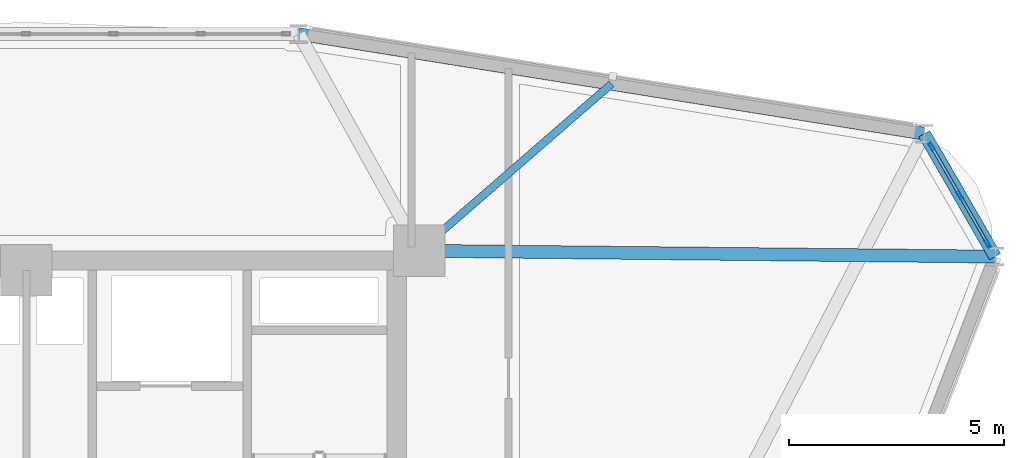
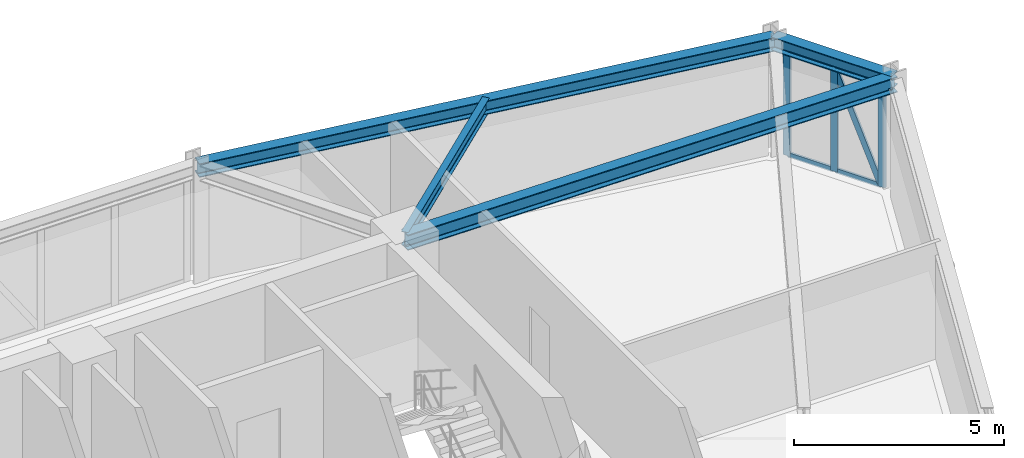
# One storey, part 11 of 18: 8 members, 4 beams, 1 element without a shape of its own.
"""IFC4 building model written with IfcOpenShell, lengths in metres."""

from ifc_helpers import new_model, si_unit, derived_unit, direction, frame, origin, origin_2d, place, context, subcontext, project, spatial, hollow_rectangle, i_section, extrude, source, transform, mapped, material, layer, layer_set, material_profile, profile_set, type_object, element, aggregate, save


model = new_model("IFC4")

# Units and contexts
model_context = context("Model", 3, precision=1e-05, world=origin(), true_north=direction((0.0, 1.0)))
body_context = subcontext(model_context, "Body", "Model", "MODEL_VIEW")
ifc_project = project(units=[si_unit("LENGTHUNIT", "METRE"), si_unit("AREAUNIT", "SQUARE_METRE"), si_unit("VOLUMEUNIT", "CUBIC_METRE"), si_unit("PLANEANGLEUNIT", "RADIAN"), si_unit("MASSUNIT", "GRAM", prefix="KILO"), derived_unit("THERMALTRANSMITTANCEUNIT", [(si_unit("POWERUNIT", "WATT"), 1), (si_unit("LENGTHUNIT", "METRE"), -2), (si_unit("THERMODYNAMICTEMPERATUREUNIT", "KELVIN"), -1)])], contexts=[model_context])

# Site, building, storey
site_placement = place(None, origin())
site = spatial("IfcSite", under=ifc_project, at=site_placement, CompositionType="ELEMENT")
building_placement = place(site_placement, origin())
building = spatial("IfcBuilding", under=site, at=building_placement, Name="Korsvarv Bourse and Concert Hall", CompositionType="ELEMENT")
storey_placement = place(building_placement, frame((0.0, 0.0, 168.60009765625)))
storey = spatial("IfcBuildingStorey", under=building, at=storey_placement, Name="L43", CompositionType="ELEMENT", Elevation=168.60009765625)

# Beams
ifc_material_1 = material(Name="Steel S355", Category="steel")
ifc_material_profile_1 = material_profile(ifc_material_1, i_section(OverallWidth=0.300048828125, OverallDepth=0.39990234375, WebThickness=0.013427734375, FlangeThickness=0.02392578125, FilletRadius=0.02099609375, at=origin_2d()), Name="HEB 400")
ifc_profile_set_1 = profile_set([ifc_material_profile_1], Name="Steel S355")
beam_type_1 = type_object("IfcBeamType", Name="BM-HEB400", PredefinedType="SPANDREL", material=ifc_profile_set_1)
shared_shape_1 = source(origin(), body_context, "Body", "SweptSolid", [
    extrude(i_section(OverallWidth=0.300048828125, OverallDepth=0.39990234375, WebThickness=0.013427734375, FlangeThickness=0.02392578125, FilletRadius=0.02099609375, at=origin_2d()), origin(), (0.0, 0.0, 1.0), 3.30322265625),
])
beam_1_placement = place(storey_placement, frame((58.553955078125, 47.114501953125, 3.199951171875), z_axis=(-0.500010360262, 0.866019422202, 0.0), x_axis=(-0.866019422202, -0.500010360262, 0.0)))
element("IfcBeam", 1, at=beam_1_placement, inside=storey, type_object=beam_type_1, Name="L43 beam B-09", PredefinedType="SPANDREL", context=body_context, shape_type="MappedRepresentation", body=[
    mapped(shared_shape_1, transform((0.0, 0.0, 0.0), scale=1.0)),
])
shared_shape_2 = source(origin(), body_context, "Body", "SweptSolid", [
    extrude(i_section(OverallWidth=0.300048828125, OverallDepth=0.39990234375, WebThickness=0.013427734375, FlangeThickness=0.02392578125, FilletRadius=0.02099609375, at=origin_2d()), origin(), (0.0, 0.0, 1.0), 14.740234375),
])
beam_2_placement = place(storey_placement, frame((56.90234375, 49.97509765625, 3.199951171875), z_axis=(-0.987527508196, 0.157446564127, 0.0), x_axis=(-0.157446564127, -0.987527508196, 0.0)))
element("IfcBeam", 2, at=beam_2_placement, inside=storey, type_object=beam_type_1, Name="L43 beam B-09", PredefinedType="SPANDREL", context=body_context, shape_type="MappedRepresentation", body=[
    mapped(shared_shape_2, transform((0.0, 0.0, 0.0), scale=1.0)),
])
ifc_material_profile_2 = material_profile(ifc_material_1, i_section(OverallWidth=0.300048828125, OverallDepth=0.449951171875, WebThickness=0.013916015625, FlangeThickness=0.02587890625, FilletRadius=0.02099609375, at=origin_2d()), Name="HEB 450")
ifc_profile_set_2 = profile_set([ifc_material_profile_2], Name="Steel S355")
beam_type_2 = type_object("IfcBeamType", Name="BM-HEB450", PredefinedType="SPANDREL", material=ifc_profile_set_2)
shared_shape_3 = source(origin(), body_context, "Body", "SweptSolid", [
    extrude(i_section(OverallWidth=0.300048828125, OverallDepth=0.449951171875, WebThickness=0.013916015625, FlangeThickness=0.02587890625, FilletRadius=0.02099609375, at=origin_2d()), origin(), (0.0, 0.0, 1.0), 13.40478515625),
])
beam_3_placement = place(storey_placement, frame((58.553955078125, 47.114501953125, 3.1748046875), z_axis=(-0.999948910631, 0.010108220778, 0.0), x_axis=(-0.010108220778, -0.999948910631, 0.0)))
element("IfcBeam", 3, at=beam_3_placement, inside=storey, type_object=beam_type_2, Name="L43 beam B-08", PredefinedType="SPANDREL", context=body_context, shape_type="MappedRepresentation", body=[
    mapped(shared_shape_3, transform((0.0, 0.0, 0.0), scale=1.0)),
])
ifc_material_profile_3 = material_profile(ifc_material_1, i_section(OverallWidth=0.179931640625, OverallDepth=0.39990234375, WebThickness=0.008544921875, FlangeThickness=0.013427734375, FilletRadius=0.02099609375, at=origin_2d()), Name="IPE 400")
ifc_profile_set_3 = profile_set([ifc_material_profile_3], Name="Steel S355")
beam_type_3 = type_object("IfcBeamType", Name="BM-IPE400", PredefinedType="JOIST", material=ifc_profile_set_3)
shared_shape_4 = source(origin(), body_context, "Body", "SweptSolid", [
    extrude(i_section(OverallWidth=0.179931640625, OverallDepth=0.39990234375, WebThickness=0.008544921875, FlangeThickness=0.013427734375, FilletRadius=0.02099609375, at=origin_2d()), origin(), (0.0, 0.0, 1.0), 5.926025390625),
])
beam_4_placement = place(storey_placement, frame((49.624267578125, 51.135498046875, 3.199951171875), z_axis=(-0.755044389715, -0.655673676123, 0.0), x_axis=(0.655673676123, -0.755044389715, 0.0)))
element("IfcBeam", 4, at=beam_4_placement, inside=storey, type_object=beam_type_3, Name="L43 beam J-05", PredefinedType="JOIST", context=body_context, shape_type="MappedRepresentation", body=[
    mapped(shared_shape_4, transform((0.0, 0.0, 0.0), scale=1.0)),
])

# Curtain wall, members
ifc_material_2 = material(Name="Anodised aluminium and triple low-E glazing", Category="glass")
ifc_layer = layer(ifc_material_2, 0.2099609375)
ifc_layer_set = layer_set([ifc_layer], Name="Anodised aluminium and triple low-E glazing")
curtain_wall_type = type_object("IfcCurtainWallType", Name="CW-SYS-2", PredefinedType="NOTDEFINED", material=ifc_layer_set)
curtain_wall_placement = place(storey_placement, origin())
curtain_wall = element("IfcCurtainWall", 5, at=curtain_wall_placement, inside=storey, type_object=curtain_wall_type, Name="L43 CW2 curtain wall CW-L43-F01", PredefinedType="NOTDEFINED")
ifc_material_3 = material(Name="Extruded aluminium EN AW-6063 T66", Category="aluminium")
ifc_material_profile_4 = material_profile(ifc_material_3, hollow_rectangle(XDim=0.070068359375, YDim=0.18994140625, WallThickness=0.0048828125, at=origin_2d()), Name="ALU-M 70x190")
ifc_profile_set_4 = profile_set([ifc_material_profile_4], Name="Extruded aluminium EN AW-6063 T66")
member_type_1 = type_object("IfcMemberType", Name="CWM-190", PredefinedType="MULLION", material=ifc_profile_set_4)
shared_shape_5 = source(origin(), body_context, "Body", "SweptSolid", [
    extrude(hollow_rectangle(XDim=0.070068359375, YDim=0.18994140625, WallThickness=0.0048828125, at=origin_2d()), origin(), (0.0, 0.0, 1.0), 3.0),
])
member_1_placement = place(storey_placement, frame((58.382080078125, 47.412109375, 0.0), z_axis=(0.0, 0.0, 1.0), x_axis=(-0.866006986736, -0.500031897907, 0.0)))
member_1 = element("IfcMember", 6, at=member_1_placement, type_object=member_type_1, Name="CW2 mullion 1", PredefinedType="MULLION", context=body_context, shape_type="MappedRepresentation", body=[
    mapped(shared_shape_5, transform((0.0, 0.0, 0.0), scale=1.0)),
])
member_2_placement = place(storey_placement, frame((57.72802734375, 48.544677734375, 0.0), z_axis=(0.0, 0.0, 1.0), x_axis=(-0.866006986736, -0.500031897907, 0.0)))
member_2 = element("IfcMember", 7, at=member_2_placement, type_object=member_type_1, Name="CW2 mullion 2", PredefinedType="MULLION", context=body_context, shape_type="MappedRepresentation", body=[
    mapped(shared_shape_5, transform((0.0, 0.0, 0.0), scale=1.0)),
])
member_3_placement = place(storey_placement, frame((57.07421875, 49.67724609375, 0.0), z_axis=(0.0, 0.0, 1.0), x_axis=(-0.866006986736, -0.500031897907, 0.0)))
member_3 = element("IfcMember", 8, at=member_3_placement, type_object=member_type_1, Name="CW2 mullion 3", PredefinedType="MULLION", context=body_context, shape_type="MappedRepresentation", body=[
    mapped(shared_shape_5, transform((0.0, 0.0, 0.0), scale=1.0)),
])
ifc_material_profile_5 = material_profile(ifc_material_3, hollow_rectangle(XDim=0.06494140625, YDim=0.139892578125, WallThickness=0.00390625, at=origin_2d()), Name="ALU-T 65x140")
ifc_profile_set_5 = profile_set([ifc_material_profile_5], Name="Extruded aluminium EN AW-6063 T66")
member_type_2 = type_object("IfcMemberType", Name="CWT-140", PredefinedType="USERDEFINED", material=ifc_profile_set_5)
shared_shape_6 = source(origin(), body_context, "Body", "SweptSolid", [
    extrude(hollow_rectangle(XDim=0.06494140625, YDim=0.139892578125, WallThickness=0.00390625, at=origin_2d()), origin(), (0.0, 0.0, 1.0), 1.237548828125),
])
member_4_placement = place(storey_placement, frame((58.364501953125, 47.442626953125, 0.032470703125), z_axis=(-0.500063959222, 0.865988473761, 0.0), x_axis=(-0.865988473761, -0.500063959222, 0.0)))
member_4 = element("IfcMember", 9, at=member_4_placement, type_object=member_type_2, Name="CW2 transom 1.1", ObjectType="TRANSOM", PredefinedType="USERDEFINED", context=body_context, shape_type="MappedRepresentation", body=[
    mapped(shared_shape_6, transform((0.0, 0.0, 0.0), scale=1.0)),
])
member_5_placement = place(storey_placement, frame((58.364501953125, 47.442626953125, 2.96728515625), z_axis=(-0.500063959222, 0.865988473761, 0.0), x_axis=(-0.865988473761, -0.500063959222, 0.0)))
member_5 = element("IfcMember", 10, at=member_5_placement, type_object=member_type_2, Name="CW2 transom 1.2", ObjectType="TRANSOM", PredefinedType="USERDEFINED", context=body_context, shape_type="MappedRepresentation", body=[
    mapped(shared_shape_6, transform((0.0, 0.0, 0.0), scale=1.0)),
])
ifc_material_profile_6 = material_profile(ifc_material_3, hollow_rectangle(XDim=0.06494140625, YDim=0.1650390625, WallThickness=0.0048828125, at=origin_2d()), Name="ALU-M 65x165")
ifc_profile_set_6 = profile_set([ifc_material_profile_6], Name="Extruded aluminium EN AW-6063 T66")
member_type_3 = type_object("IfcMemberType", Name="CWM-165", PredefinedType="MULLION", material=ifc_profile_set_6)
shared_shape_7 = source(origin(), body_context, "Body", "SweptSolid", [
    extrude(hollow_rectangle(XDim=0.06494140625, YDim=0.1650390625, WallThickness=0.0048828125, at=origin_2d()), origin(), (0.0, 0.0, 1.0), 3.125244140625),
])
member_6_placement = place(storey_placement, frame((58.364501953125, 47.442626953125, 0.06494140625), z_axis=(-0.19802370067, 0.342928617728, 0.918251913756), x_axis=(-0.865988473761, -0.500063959222, 0.0)))
member_6 = element("IfcMember", 11, at=member_6_placement, type_object=member_type_3, Name="CW2 diagonal mullion 1", PredefinedType="MULLION", context=body_context, shape_type="MappedRepresentation", body=[
    mapped(shared_shape_7, transform((0.0, 0.0, 0.0), scale=1.0)),
])
shared_shape_8 = source(origin(), body_context, "Body", "SweptSolid", [
    extrude(hollow_rectangle(XDim=0.06494140625, YDim=0.139892578125, WallThickness=0.00390625, at=origin_2d()), origin(), (0.0, 0.0, 1.0), 1.23779296875),
])
member_7_placement = place(storey_placement, frame((57.710693359375, 48.574951171875, 0.032470703125), z_axis=(-0.499978546328, 0.866037789714, 0.0), x_axis=(-0.866037789714, -0.499978546328, 0.0)))
member_7 = element("IfcMember", 12, at=member_7_placement, type_object=member_type_2, Name="CW2 transom 2.1", ObjectType="TRANSOM", PredefinedType="USERDEFINED", context=body_context, shape_type="MappedRepresentation", body=[
    mapped(shared_shape_8, transform((0.0, 0.0, 0.0), scale=1.0)),
])
member_8_placement = place(storey_placement, frame((57.710693359375, 48.574951171875, 2.96728515625), z_axis=(-0.499978546328, 0.866037789714, 0.0), x_axis=(-0.866037789714, -0.499978546328, 0.0)))
member_8 = element("IfcMember", 13, at=member_8_placement, type_object=member_type_2, Name="CW2 transom 2.2", ObjectType="TRANSOM", PredefinedType="USERDEFINED", context=body_context, shape_type="MappedRepresentation", body=[
    mapped(shared_shape_8, transform((0.0, 0.0, 0.0), scale=1.0)),
])
aggregate(curtain_wall, [member_1, member_2, member_3, member_4, member_5, member_6, member_7, member_8])

save(model, "model.ifc")
